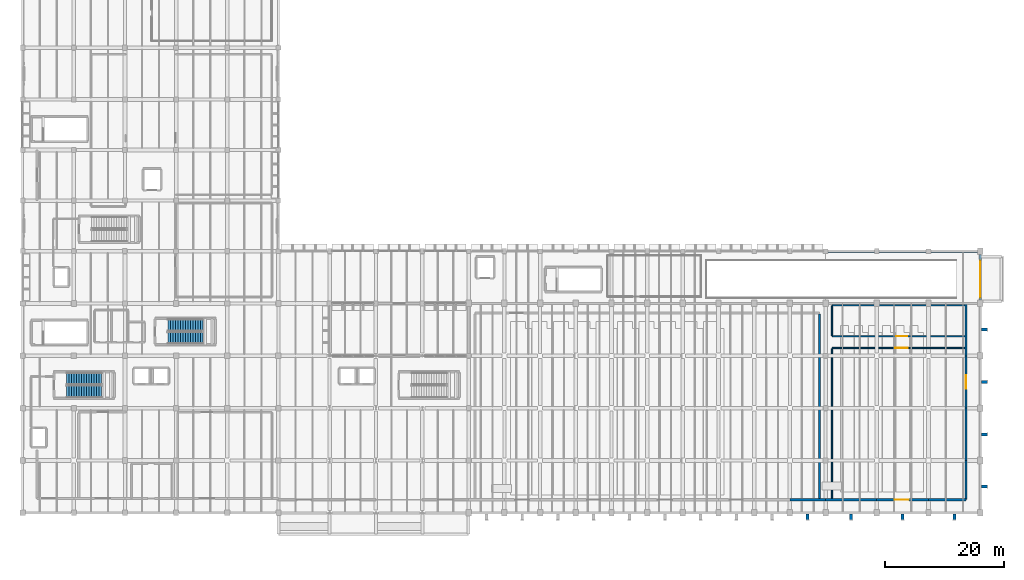
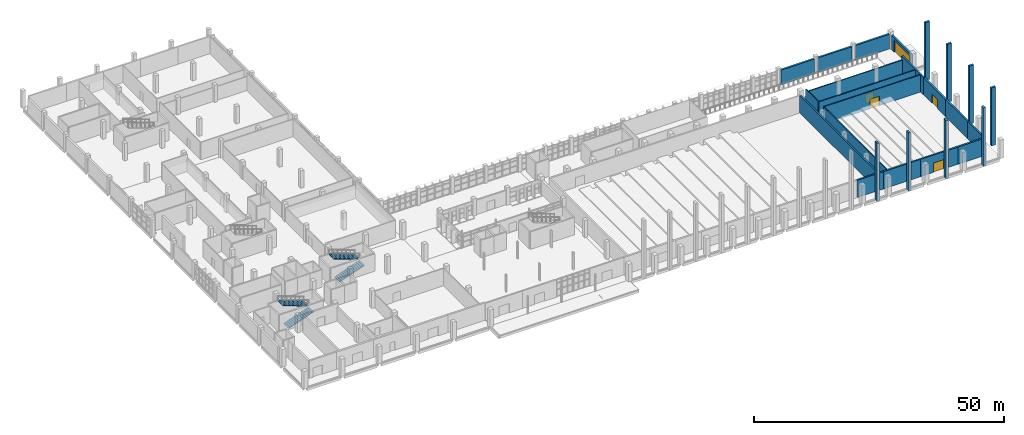
# One storey, part 62 of 76: 26 walls, 5 doors, 4 stair flights, 5 openings, 2 elements without a shape of their own.
"""IFC4 building model written with IfcOpenShell, lengths in metres."""

from ifc_helpers import new_model, si_unit, direction, frame, frame_2d, origin, place, context, subcontext, project, spatial, polyline, rectangle, outline, extrude, material, layer, layer_set, type_object, element, fill, aggregate, save


model = new_model("IFC4")

# Units and contexts
model_context = context("Model", 3, precision=1e-05, world=origin(), true_north=direction((0.0, 1.0)))
body_context = subcontext(model_context, "Body", "Model", "MODEL_VIEW")
ifc_project = project(units=[si_unit("LENGTHUNIT", "METRE"), si_unit("AREAUNIT", "SQUARE_METRE"), si_unit("VOLUMEUNIT", "CUBIC_METRE"), si_unit("PLANEANGLEUNIT", "RADIAN"), si_unit("MASSUNIT", "GRAM", prefix="KILO")], contexts=[model_context])

# Site, building, storey
site_placement = place(None, origin())
site = spatial("IfcSite", under=ifc_project, at=site_placement, CompositionType="ELEMENT")
building_placement = place(site_placement, origin())
building = spatial("IfcBuilding", under=site, at=building_placement, Name="Varnakota Cinema and Media Centre", CompositionType="ELEMENT")
storey_placement = place(building_placement, origin())
storey = spatial("IfcBuildingStorey", under=building, at=storey_placement, Name="L00", CompositionType="ELEMENT", Elevation=0.0)

# Wall
ifc_material_1 = material(Name="Autoclaved aerated concrete blockwork", Category="masonry")
ifc_layer_1 = layer(ifc_material_1, 0.2099609375)
ifc_layer_set_1 = layer_set([ifc_layer_1], Name="Autoclaved aerated concrete blockwork")
wall_type_1 = type_object("IfcWallType", Name="W-ACOUST-210", PredefinedType="PARTITIONING", material=ifc_layer_set_1)
wall_1_placement = place(storey_placement, frame((136.094970703125, 2.25, 0.0), z_axis=(0.0, 0.0, 1.0), x_axis=(0.0, 1.0, 0.0)))
element("IfcWall", 1, at=wall_1_placement, inside=storey, type_object=wall_type_1, Name="L00 RWALL-RM-L00-BCAST1 W wall", PredefinedType="PARTITIONING", context=body_context, shape_type="SweptSolid", body=[
    extrude(rectangle(XDim=25.35009765625, YDim=0.2099609375, at=frame_2d((12.675048828125, 0.0))), origin(), (0.0, 0.0, 1.0), 4.22998046875),
])

# Wall, opening, door
wall_2_placement = place(storey_placement, frame((136.094970703125, 27.705078125, 0.0), z_axis=(0.0, 0.0, 1.0), x_axis=(1.0, 0.0, 0.0)))
wall_2 = element("IfcWall", 2, at=wall_2_placement, inside=storey, type_object=wall_type_1, Name="L00 RWALL-RM-L00-BCAST1 N wall", PredefinedType="PARTITIONING", context=body_context, shape_type="SweptSolid", body=[
    extrude(rectangle(XDim=22.360107421875, YDim=0.2099609375, at=frame_2d((11.18017578125, 0.0))), origin(), (0.0, 0.0, 1.0), 4.22998046875),
])
opening_1_placement = place(wall_2_placement, frame((10.655029296875, 0.0, 0.0)))
opening_1 = element("IfcOpeningElement", 3, at=opening_1_placement, cuts=wall_2, Name="Opening D-051", PredefinedType="OPENING", context=body_context, shape_type="SweptSolid", body=[
    extrude(rectangle(XDim=2.10009765625, YDim=2.300048828125, at=frame_2d((1.050048828125, 1.14990234375))), frame((0.0, 0.10498046875, 0.0), z_axis=(0.0, -1.0, 0.0), x_axis=(1.0, 0.0, 0.0)), (0.0, 0.0, 1.0), 0.2099609375),
])
ifc_material_2 = material(Name="Thermally broken anodised aluminium AW-6063", Category="aluminium")
door_type_1 = type_object("IfcDoorType", Name="DR-AUD-2100x2300", OperationType="DOUBLE_DOOR_SINGLE_SWING", PredefinedType="DOOR", material=ifc_material_2)
door_1_placement = place(opening_1_placement, origin())
door_1 = element("IfcDoor", 4, at=door_1_placement, inside=storey, type_object=door_type_1, Name="L00 door D-051", OperationType="DOUBLE_DOOR_SINGLE_SWING", OverallHeight=2.300048828125, OverallWidth=2.10009765625, PredefinedType="DOOR", context=body_context, shape_type="SweptSolid", body=[
    extrude(rectangle(XDim=2.10009765625, YDim=2.300048828125, at=frame_2d((1.050048828125, 1.14990234375))), frame((0.0, 0.02490234375, 0.0), z_axis=(0.0, -1.0, 0.0), x_axis=(1.0, 0.0, 0.0)), (0.0, 0.0, 1.0), 0.050048828125),
])
fill(opening_1, door_1)

ifc_material_3 = material(Name="Autoclaved aerated concrete blockwork", Category="masonry")
ifc_layer_2 = layer(ifc_material_3, 0.22998046875)
ifc_layer_set_2 = layer_set([ifc_layer_2], Name="Autoclaved aerated concrete blockwork")
wall_type_2 = type_object("IfcWallType", Name="W-BOX-230", PredefinedType="PARTITIONING", material=ifc_layer_set_2)
wall_3_placement = place(storey_placement, frame((158.465087890625, 29.68505859375, 0.0), z_axis=(0.0, 0.0, 1.0), x_axis=(-1.0, 0.0, 0.0)))
wall_3 = element("IfcWall", 5, at=wall_3_placement, inside=storey, type_object=wall_type_2, Name="L00 RWALL-RM-L00-DOCK S wall", PredefinedType="PARTITIONING", context=body_context, shape_type="SweptSolid", body=[
    extrude(rectangle(XDim=22.380126953125, YDim=0.22998046875, at=frame_2d((11.18994140625, 0.0))), origin(), (0.0, 0.0, 1.0), 4.22998046875),
])
opening_2_placement = place(wall_3_placement, frame((9.764892578125, 0.0, 0.0)))
opening_2 = element("IfcOpeningElement", 6, at=opening_2_placement, cuts=wall_3, Name="Opening D-052", PredefinedType="OPENING", context=body_context, shape_type="SweptSolid", body=[
    extrude(rectangle(XDim=1.800048828125, YDim=2.25, at=frame_2d((0.89990234375, 1.125))), frame((0.0, 0.114990234375, 0.0), z_axis=(0.0, -1.0, 0.0), x_axis=(1.0, 0.0, 0.0)), (0.0, 0.0, 1.0), 0.22998046875),
])
ifc_material_4 = material(Name="Thermally broken anodised aluminium AW-6063", Category="aluminium")
door_type_2 = type_object("IfcDoorType", Name="DR-AUD-1800x2250", OperationType="DOUBLE_DOOR_SINGLE_SWING", PredefinedType="DOOR", material=ifc_material_4)
door_2_placement = place(opening_2_placement, origin())
door_2 = element("IfcDoor", 7, at=door_2_placement, inside=storey, type_object=door_type_2, Name="L00 door D-052", OperationType="DOUBLE_DOOR_SINGLE_SWING", OverallHeight=2.25, OverallWidth=1.800048828125, PredefinedType="DOOR", context=body_context, shape_type="SweptSolid", body=[
    extrude(rectangle(XDim=1.800048828125, YDim=2.25, at=frame_2d((0.89990234375, 1.125))), frame((0.0, 0.02490234375, 0.0), z_axis=(0.0, -1.0, 0.0), x_axis=(1.0, 0.0, 0.0)), (0.0, 0.0, 1.0), 0.050048828125),
])
fill(opening_2, door_2)

# Walls
wall_4_placement = place(storey_placement, frame((136.0849609375, 29.800048828125, 0.0), z_axis=(0.0, 0.0, 1.0), x_axis=(0.0, 1.0, 0.0)))
element("IfcWall", 8, at=wall_4_placement, inside=storey, type_object=wall_type_2, Name="L00 RWALL-RM-L00-DOCK W wall", PredefinedType="PARTITIONING", context=body_context, shape_type="SweptSolid", body=[
    extrude(rectangle(XDim=5.0, YDim=0.22998046875, at=frame_2d((2.5, 0.0))), origin(), (0.0, 0.0, 1.0), 4.22998046875),
])
wall_5_placement = place(storey_placement, frame((136.0849609375, 34.9150390625, 0.0), z_axis=(0.0, 0.0, 1.0), x_axis=(1.0, 0.0, 0.0)))
element("IfcWall", 9, at=wall_5_placement, inside=storey, type_object=wall_type_2, Name="L00 RWALL-RM-L00-DOCK N wall", PredefinedType="PARTITIONING", context=body_context, shape_type="SweptSolid", body=[
    extrude(rectangle(XDim=22.380126953125, YDim=0.22998046875, at=frame_2d((11.18994140625, 0.0))), origin(), (0.0, 0.0, 1.0), 3.47998046875),
])
ifc_material_5 = material(Name="Deccan grey granite ashlar", Category="masonry")
ifc_layer_3 = layer(ifc_material_5, 0.5)
ifc_layer_set_3 = layer_set([ifc_layer_3], Name="Deccan grey granite ashlar")
wall_type_3 = type_object("IfcWallType", Name="W-BUTTRESS-500", PredefinedType="SOLIDWALL", material=ifc_layer_set_3)
for number, where, z_axis, x_axis, name in (
    (10, (132.0, -0.22998046875, 0.0), (0.0, 0.0, 1.0), (0.0, -1.0, 0.0), "Hall south monumental Brutalist buttress fin 10"),
    (11, (139.300048828125, -0.22998046875, 0.0), (0.0, 0.0, 1.0), (0.0, -1.0, 0.0), "Hall south monumental Brutalist buttress fin 11"),
    (12, (147.949951171875, -0.22998046875, 0.0), (0.0, 0.0, 1.0), (0.0, -1.0, 0.0), "Hall south monumental Brutalist buttress fin 12"),
    (13, (156.64990234375, -0.22998046875, 0.0), (0.0, 0.0, 1.0), (0.0, -1.0, 0.0), "Hall south monumental Brutalist buttress fin 13"),
    (14, (161.22998046875, 4.39990234375, 0.0), (0.0, 0.0, 1.0), (1.0, 0.0, 0.0), "Hall east monumental Brutalist buttress fin 1"),
    (15, (161.22998046875, 13.199951171875, 0.0), (0.0, 0.0, 1.0), (1.0, 0.0, 0.0), "Hall east monumental Brutalist buttress fin 2"),
    (16, (161.22998046875, 22.0, 0.0), (0.0, 0.0, 1.0), (1.0, 0.0, 0.0), "Hall east monumental Brutalist buttress fin 3"),
    (17, (161.22998046875, 30.800048828125, 0.0), (0.0, 0.0, 1.0), (1.0, 0.0, 0.0), "Hall east monumental Brutalist buttress fin 4"),
):
    element("IfcWall", number, at=place(storey_placement, frame(where, z_axis=z_axis, x_axis=x_axis)), inside=storey, type_object=wall_type_3, Name=name, PredefinedType="SOLIDWALL", context=body_context, shape_type="SweptSolid", body=[
        extrude(rectangle(XDim=0.969970703125, YDim=0.5, at=frame_2d((0.48486328125, 0.0))), origin(), (0.0, 0.0, 1.0), 14.199951171875),
    ])
ifc_material_6 = material(Name="Deccan grey granite ashlar", Category="masonry")
ifc_layer_4 = layer(ifc_material_6, 0.3798828125)
ifc_layer_set_4 = layer_set([ifc_layer_4], Name="Deccan grey granite ashlar")
wall_type_4 = type_object("IfcWallType", Name="W-EXT-GRAN-380", PredefinedType="SOLIDWALL", material=ifc_layer_set_4)
wall_6_placement = place(storey_placement, frame((135.0, 2.199951171875, 0.0), z_axis=(0.0, 0.0, 1.0), x_axis=(-1.0, 0.0, 0.0)))
element("IfcWall", 18, at=wall_6_placement, inside=storey, type_object=wall_type_4, Name="L00 exterior wall V1-S-1", PredefinedType="SOLIDWALL", context=body_context, shape_type="SweptSolid", body=[
    extrude(rectangle(XDim=6.0, YDim=0.3798828125, at=frame_2d((3.0, 0.0))), origin(), (0.0, 0.0, 1.0), 4.235107421875),
])
wall_7_placement = place(storey_placement, frame((158.60009765625, 2.199951171875, 0.0), z_axis=(0.0, 0.0, 1.0), x_axis=(-1.0, 0.0, 0.0)))
element("IfcWall", 19, at=wall_7_placement, inside=storey, type_object=wall_type_4, Name="L00 exterior wall V2-S-1", PredefinedType="SOLIDWALL", context=body_context, shape_type="SweptSolid", body=[
    extrude(rectangle(XDim=6.300048828125, YDim=0.3798828125, at=frame_2d((3.14990234375, 0.0))), origin(), (0.0, 0.0, 1.0), 4.235107421875),
])

# Wall, opening, door
wall_8_placement = place(storey_placement, frame((152.300048828125, 2.199951171875, 0.0), z_axis=(0.0, 0.0, 1.0), x_axis=(-1.0, 0.0, 0.0)))
wall_8 = element("IfcWall", 20, at=wall_8_placement, inside=storey, type_object=wall_type_4, Name="L00 exterior wall V2-S-2", PredefinedType="SOLIDWALL", context=body_context, shape_type="SweptSolid", body=[
    extrude(rectangle(XDim=8.699951171875, YDim=0.3798828125, at=frame_2d((4.35009765625, 0.0))), origin(), (0.0, 0.0, 1.0), 4.235107421875),
])
opening_3_placement = place(wall_8_placement, frame((3.300048828125, 0.0, 0.0)))
opening_3 = element("IfcOpeningElement", 21, at=opening_3_placement, cuts=wall_8, Name="Opening ED-15", PredefinedType="OPENING", context=body_context, shape_type="SweptSolid", body=[
    extrude(rectangle(XDim=2.39990234375, YDim=2.300048828125, at=frame_2d((1.199951171875, 1.14990234375))), frame((0.0, 0.18994140625, 0.0), z_axis=(0.0, -1.0, 0.0), x_axis=(1.0, 0.0, 0.0)), (0.0, 0.0, 1.0), 0.3798828125),
])
ifc_material_7 = material(Name="Anodised golden-bronze aluminium AW-6063", Category="aluminium")
door_type_3 = type_object("IfcDoorType", Name="DR-EXIT-2400x2300", OperationType="DOUBLE_DOOR_SINGLE_SWING", PredefinedType="DOOR", material=ifc_material_7)
door_3_placement = place(opening_3_placement, origin())
door_3 = element("IfcDoor", 22, at=door_3_placement, inside=storey, type_object=door_type_3, Name="L00 door ED-15", OperationType="DOUBLE_DOOR_SINGLE_SWING", OverallHeight=2.300048828125, OverallWidth=2.39990234375, PredefinedType="DOOR", context=body_context, shape_type="SweptSolid", body=[
    extrude(rectangle(XDim=2.39990234375, YDim=2.300048828125, at=frame_2d((1.199951171875, 1.14990234375))), frame((0.0, 0.02490234375, 0.0), z_axis=(0.0, -1.0, 0.0), x_axis=(1.0, 0.0, 0.0)), (0.0, 0.0, 1.0), 0.050048828125),
])
fill(opening_3, door_3)

# Walls
wall_9_placement = place(storey_placement, frame((143.60009765625, 2.199951171875, 0.0), z_axis=(0.0, 0.0, 1.0), x_axis=(-1.0, 0.0, 0.0)))
element("IfcWall", 23, at=wall_9_placement, inside=storey, type_object=wall_type_4, Name="L00 exterior wall V2-S-3", PredefinedType="SOLIDWALL", context=body_context, shape_type="SweptSolid", body=[
    extrude(rectangle(XDim=8.60009765625, YDim=0.3798828125, at=frame_2d((4.300048828125, 0.0))), origin(), (0.0, 0.0, 1.0), 4.235107421875),
])
wall_10_placement = place(storey_placement, frame((158.60009765625, 2.199951171875, 0.0), z_axis=(0.0, 0.0, 1.0), x_axis=(0.0, 1.0, 0.0)))
element("IfcWall", 24, at=wall_10_placement, inside=storey, type_object=wall_type_4, Name="L00 exterior wall V2-E-COL-1", PredefinedType="SOLIDWALL", context=body_context, shape_type="SweptSolid", body=[
    extrude(rectangle(XDim=6.60009765625, YDim=0.3798828125, at=frame_2d((3.300048828125, 0.0))), origin(), (0.0, 0.0, 1.0), 4.235107421875),
])
wall_11_placement = place(storey_placement, frame((158.60009765625, 8.800048828125, 0.0), z_axis=(0.0, 0.0, 1.0), x_axis=(0.0, 1.0, 0.0)))
element("IfcWall", 25, at=wall_11_placement, inside=storey, type_object=wall_type_4, Name="L00 exterior wall V2-E-COL-2", PredefinedType="SOLIDWALL", context=body_context, shape_type="SweptSolid", body=[
    extrude(rectangle(XDim=8.800048828125, YDim=0.3798828125, at=frame_2d((4.39990234375, 0.0))), origin(), (0.0, 0.0, 1.0), 4.235107421875),
])

# Wall, opening, door
wall_12_placement = place(storey_placement, frame((158.60009765625, 17.60009765625, 0.0), z_axis=(0.0, 0.0, 1.0), x_axis=(0.0, 1.0, 0.0)))
wall_12 = element("IfcWall", 26, at=wall_12_placement, inside=storey, type_object=wall_type_4, Name="L00 exterior wall V2-E-COL-3", PredefinedType="SOLIDWALL", context=body_context, shape_type="SweptSolid", body=[
    extrude(rectangle(XDim=8.7998046875, YDim=0.3798828125, at=frame_2d((4.39990234375, 0.0))), origin(), (0.0, 0.0, 1.0), 4.235107421875),
])
opening_4_placement = place(wall_12_placement, frame((3.300048828125, 0.0, 0.0)))
opening_4 = element("IfcOpeningElement", 27, at=opening_4_placement, cuts=wall_12, Name="Opening ED-07", PredefinedType="OPENING", context=body_context, shape_type="SweptSolid", body=[
    extrude(rectangle(XDim=2.199951171875, YDim=2.25, at=frame_2d((1.10009765625, 1.125))), frame((0.0, 0.18994140625, 0.0), z_axis=(0.0, -1.0, 0.0), x_axis=(1.0, 0.0, 0.0)), (0.0, 0.0, 1.0), 0.3798828125),
])
ifc_material_8 = material(Name="Anodised golden-bronze aluminium AW-6063", Category="aluminium")
door_type_4 = type_object("IfcDoorType", Name="DR-EXIT-2200x2250", OperationType="DOUBLE_DOOR_SINGLE_SWING", PredefinedType="DOOR", material=ifc_material_8)
door_4_placement = place(opening_4_placement, origin())
door_4 = element("IfcDoor", 28, at=door_4_placement, inside=storey, type_object=door_type_4, Name="L00 door ED-07", OperationType="DOUBLE_DOOR_SINGLE_SWING", OverallHeight=2.25, OverallWidth=2.199951171875, PredefinedType="DOOR", context=body_context, shape_type="SweptSolid", body=[
    extrude(rectangle(XDim=2.199951171875, YDim=2.25, at=frame_2d((1.10009765625, 1.125))), frame((0.0, 0.02490234375, 0.0), z_axis=(0.0, -1.0, 0.0), x_axis=(1.0, 0.0, 0.0)), (0.0, 0.0, 1.0), 0.050048828125),
])
fill(opening_4, door_4)

# Wall
wall_13_placement = place(storey_placement, frame((158.60009765625, 26.39990234375, 0.0), z_axis=(0.0, 0.0, 1.0), x_axis=(0.0, 1.0, 0.0)))
element("IfcWall", 29, at=wall_13_placement, inside=storey, type_object=wall_type_4, Name="L00 exterior wall V2-E-COL-4", PredefinedType="SOLIDWALL", context=body_context, shape_type="SweptSolid", body=[
    extrude(rectangle(XDim=8.800048828125, YDim=0.3798828125, at=frame_2d((4.39990234375, 0.0))), origin(), (0.0, 0.0, 1.0), 4.235107421875),
])

# Wall, opening, door
ifc_material_9 = material(Name="Deccan grey granite ashlar", Category="masonry")
ifc_layer_5 = layer(ifc_material_9, 0.43994140625)
ifc_layer_set_5 = layer_set([ifc_layer_5], Name="Deccan grey granite ashlar")
wall_type_5 = type_object("IfcWallType", Name="W-EXT-HALL-440", PredefinedType="SOLIDWALL", material=ifc_layer_set_5)
wall_14_placement = place(storey_placement, frame((161.0, 35.75, 0.0), z_axis=(0.0, 0.0, 1.0), x_axis=(0.0, 1.0, 0.0)))
wall_14 = element("IfcWall", 30, at=wall_14_placement, inside=storey, type_object=wall_type_5, Name="L00 exterior wall V2-E-RAMP-1", PredefinedType="SOLIDWALL", context=body_context, shape_type="SweptSolid", body=[
    extrude(rectangle(XDim=7.699951171875, YDim=0.43994140625, at=frame_2d((3.85009765625, 0.0))), origin(), (0.0, 0.0, 1.0), 3.485107421875),
])
opening_5_placement = place(wall_14_placement, frame((0.449951171875, 0.0, 0.0)))
opening_5 = element("IfcOpeningElement", 31, at=opening_5_placement, cuts=wall_14, Name="Opening G-B1", PredefinedType="OPENING", context=body_context, shape_type="SweptSolid", body=[
    extrude(rectangle(XDim=6.199951171875, YDim=2.85009765625, at=frame_2d((3.10009765625, 1.425048828125))), frame((0.0, 0.219970703125, 0.0), z_axis=(0.0, -1.0, 0.0), x_axis=(1.0, 0.0, 0.0)), (0.0, 0.0, 1.0), 0.43994140625),
])
ifc_material_10 = material(Name="Anodised golden-bronze aluminium AW-6063", Category="aluminium")
door_type_5 = type_object("IfcDoorType", Name="DR-GATE-6200x2850", OperationType="ROLLINGUP", PredefinedType="GATE", material=ifc_material_10)
door_5_placement = place(opening_5_placement, origin())
door_5 = element("IfcDoor", 32, at=door_5_placement, inside=storey, type_object=door_type_5, Name="L00 door G-B1", OperationType="ROLLINGUP", OverallHeight=2.85009765625, OverallWidth=6.199951171875, PredefinedType="GATE", context=body_context, shape_type="SweptSolid", body=[
    extrude(rectangle(XDim=6.199951171875, YDim=2.85009765625, at=frame_2d((3.10009765625, 1.425048828125))), frame((0.0, 0.02490234375, 0.0), z_axis=(0.0, -1.0, 0.0), x_axis=(1.0, 0.0, 0.0)), (0.0, 0.0, 1.0), 0.050048828125),
])
fill(opening_5, door_5)

# Walls
wall_15_placement = place(storey_placement, frame((135.39990234375, 44.0, 0.0), z_axis=(0.0, 0.0, 1.0), x_axis=(1.0, 0.0, 0.0)))
element("IfcWall", 33, at=wall_15_placement, inside=storey, type_object=wall_type_5, Name="L00 exterior wall V2-N-1", PredefinedType="SOLIDWALL", context=body_context, shape_type="SweptSolid", body=[
    extrude(rectangle(XDim=7.8251953125, YDim=0.43994140625, at=frame_2d((3.91259765625, 0.0))), origin(), (0.0, 0.0, 1.0), 3.5849609375),
])
wall_16_placement = place(storey_placement, frame((143.97509765625, 44.0, 0.0), z_axis=(0.0, 0.0, 1.0), x_axis=(1.0, 0.0, 0.0)))
element("IfcWall", 34, at=wall_16_placement, inside=storey, type_object=wall_type_5, Name="L00 exterior wall V2-N-2", PredefinedType="SOLIDWALL", context=body_context, shape_type="SweptSolid", body=[
    extrude(rectangle(XDim=7.9248046875, YDim=0.43994140625, at=frame_2d((3.96240234375, 0.0))), origin(), (0.0, 0.0, 1.0), 3.5849609375),
])
wall_17_placement = place(storey_placement, frame((152.699951171875, 44.0, 0.0), z_axis=(0.0, 0.0, 1.0), x_axis=(1.0, 0.0, 0.0)))
element("IfcWall", 35, at=wall_17_placement, inside=storey, type_object=wall_type_5, Name="L00 exterior wall V2-N-3", PredefinedType="SOLIDWALL", context=body_context, shape_type="SweptSolid", body=[
    extrude(rectangle(XDim=7.85009765625, YDim=0.43994140625, at=frame_2d((3.925048828125, 0.0))), origin(), (0.0, 0.0, 1.0), 3.5849609375),
])
ifc_material_11 = material(Name="Concrete M40", Category="concrete")
ifc_layer_6 = layer(ifc_material_11, 0.35009765625)
ifc_layer_set_6 = layer_set([ifc_layer_6], Name="Concrete M40")
wall_type_6 = type_object("IfcWallType", Name="W-SEP-350", PredefinedType="SOLIDWALL", material=ifc_layer_set_6)
wall_18_placement = place(storey_placement, frame((133.97509765625, 33.39990234375, 0.0), z_axis=(0.0, 0.0, 1.0), x_axis=(0.0, -1.0, 0.0)))
element("IfcWall", 36, at=wall_18_placement, inside=storey, type_object=wall_type_6, Name="L00 RWALL-RM-L00-CINE1 E wall", PredefinedType="SOLIDWALL", context=body_context, shape_type="SweptSolid", body=[
    extrude(rectangle(XDim=31.14990234375, YDim=0.35009765625, at=frame_2d((15.574951171875, 0.0))), origin(), (0.0, 0.0, 1.0), 4.22998046875),
])

# Stair, stair flights
ifc_material_12 = material(Name="Concrete M35", Category="concrete")
stair_type_1 = type_object("IfcStairType", Name="STR-CORE-ST-01-2000", PredefinedType="HALF_TURN_STAIR", material=ifc_material_12)
stair_1_placement = place(storey_placement, origin())
stair_1 = element("IfcStair", 37, at=stair_1_placement, inside=storey, type_object=stair_type_1, Name="L00 West Firefighting Stair 1", PredefinedType="HALF_TURN_STAIR")
ifc_material_13 = material(Name="Concrete M35", Category="concrete")
stair_flight_type_1 = type_object("IfcStairFlightType", Name="STF-CORE-ST-01-2000", PredefinedType="STRAIGHT", material=ifc_material_13)
stair_flight_1_placement = place(storey_placement, frame((7.39990234375, 20.39990234375, 0.0), z_axis=(0.0, 0.0, 1.0), x_axis=(1.0, 0.0, 0.0)))
stair_flight_1 = element("IfcStairFlight", 38, at=stair_flight_1_placement, type_object=stair_flight_type_1, Name="ST-01 flight 1", NumberOfRisers=15, NumberOfTreads=14, PredefinedType="STRAIGHT", RiserHeight=0.15, TreadLength=0.42, context=body_context, shape_type="SweptSolid", body=[
    extrude(outline(polyline([(0.0, 0.0), (0.0, 0.14990234375), (0.419921875, 0.14990234375), (0.419921875, 0.300048828125), (0.840087890625, 0.300048828125), (0.840087890625, 0.449951171875), (1.260009765625, 0.449951171875), (1.260009765625, 0.60009765625), (1.679931640625, 0.60009765625), (1.679931640625, 0.75), (2.10009765625, 0.75), (2.10009765625, 0.89990234375), (2.52001953125, 0.89990234375), (2.52001953125, 1.050048828125), (2.93994140625, 1.050048828125), (2.93994140625, 1.199951171875), (3.360107421875, 1.199951171875), (3.360107421875, 1.35009765625), (3.780029296875, 1.35009765625), (3.780029296875, 1.5), (4.199951171875, 1.5), (4.199951171875, 1.64990234375), (4.6201171875, 1.64990234375), (4.6201171875, 1.800048828125), (5.0400390625, 1.800048828125), (5.0400390625, 1.949951171875), (5.4599609375, 1.949951171875), (5.4599609375, 2.10009765625), (5.8798828125, 2.10009765625), (5.8798828125, 2.25), (5.8798828125, 1.94091796875), (0.44580078125, 0.0), (0.0, 0.0)])), frame((0.0, 1.0, 0.0), z_axis=(0.0, -1.0, 0.0), x_axis=(1.0, 0.0, 0.0)), (0.0, 0.0, 1.0), 2.0),
])
stair_flight_2_placement = place(storey_placement, frame((13.280029296875, 22.550048828125, 2.25), z_axis=(0.0, 0.0, 1.0), x_axis=(-1.0, 0.0, 0.0)))
stair_flight_2 = element("IfcStairFlight", 39, at=stair_flight_2_placement, type_object=stair_flight_type_1, Name="ST-01 flight 2", NumberOfRisers=15, NumberOfTreads=14, PredefinedType="STRAIGHT", RiserHeight=0.15, TreadLength=0.42, context=body_context, shape_type="SweptSolid", body=[
    extrude(outline(polyline([(0.0, 0.0), (0.0, 0.14990234375), (0.419921875, 0.14990234375), (0.419921875, 0.300048828125), (0.840087890625, 0.300048828125), (0.840087890625, 0.449951171875), (1.260009765625, 0.449951171875), (1.260009765625, 0.60009765625), (1.679931640625, 0.60009765625), (1.679931640625, 0.75), (2.10009765625, 0.75), (2.10009765625, 0.89990234375), (2.52001953125, 0.89990234375), (2.52001953125, 1.050048828125), (2.93994140625, 1.050048828125), (2.93994140625, 1.199951171875), (3.360107421875, 1.199951171875), (3.360107421875, 1.35009765625), (3.780029296875, 1.35009765625), (3.780029296875, 1.5), (4.199951171875, 1.5), (4.199951171875, 1.64990234375), (4.6201171875, 1.64990234375), (4.6201171875, 1.800048828125), (5.0400390625, 1.800048828125), (5.0400390625, 1.949951171875), (5.4599609375, 1.949951171875), (5.4599609375, 2.10009765625), (5.8798828125, 2.10009765625), (5.8798828125, 2.25), (5.8798828125, 1.94091796875), (0.44580078125, 0.0), (0.0, 0.0)])), frame((0.0, 1.0, 0.0), z_axis=(0.0, -1.0, 0.0), x_axis=(1.0, 0.0, 0.0)), (0.0, 0.0, 1.0), 2.0),
])
aggregate(stair_1, [stair_flight_1, stair_flight_2])

ifc_material_14 = material(Name="Concrete M35", Category="concrete")
stair_type_2 = type_object("IfcStairType", Name="STR-CORE-ST-02-2000", PredefinedType="HALF_TURN_STAIR", material=ifc_material_14)
stair_2_placement = place(storey_placement, origin())
stair_2 = element("IfcStair", 40, at=stair_2_placement, inside=storey, type_object=stair_type_2, Name="L00 Cinema North Escape Stair 2", PredefinedType="HALF_TURN_STAIR")
ifc_material_15 = material(Name="Concrete M35", Category="concrete")
stair_flight_type_2 = type_object("IfcStairFlightType", Name="STF-CORE-ST-02-2000", PredefinedType="STRAIGHT", material=ifc_material_15)
stair_flight_3_placement = place(storey_placement, frame((24.39990234375, 29.39990234375, 0.0), z_axis=(0.0, 0.0, 1.0), x_axis=(1.0, 0.0, 0.0)))
stair_flight_3 = element("IfcStairFlight", 41, at=stair_flight_3_placement, type_object=stair_flight_type_2, Name="ST-02 flight 1", NumberOfRisers=15, NumberOfTreads=14, PredefinedType="STRAIGHT", RiserHeight=0.15, TreadLength=0.42, context=body_context, shape_type="SweptSolid", body=[
    extrude(outline(polyline([(0.0, 0.0), (0.0, 0.14990234375), (0.419921875, 0.14990234375), (0.419921875, 0.300048828125), (0.840087890625, 0.300048828125), (0.840087890625, 0.449951171875), (1.260009765625, 0.449951171875), (1.260009765625, 0.60009765625), (1.679931640625, 0.60009765625), (1.679931640625, 0.75), (2.10009765625, 0.75), (2.10009765625, 0.89990234375), (2.52001953125, 0.89990234375), (2.52001953125, 1.050048828125), (2.93994140625, 1.050048828125), (2.93994140625, 1.199951171875), (3.360107421875, 1.199951171875), (3.360107421875, 1.35009765625), (3.780029296875, 1.35009765625), (3.780029296875, 1.5), (4.199951171875, 1.5), (4.199951171875, 1.64990234375), (4.6201171875, 1.64990234375), (4.6201171875, 1.800048828125), (5.0400390625, 1.800048828125), (5.0400390625, 1.949951171875), (5.4599609375, 1.949951171875), (5.4599609375, 2.10009765625), (5.8798828125, 2.10009765625), (5.8798828125, 2.25), (5.8798828125, 1.94091796875), (0.44580078125, 0.0), (0.0, 0.0)])), frame((0.0, 1.0, 0.0), z_axis=(0.0, -1.0, 0.0), x_axis=(1.0, 0.0, 0.0)), (0.0, 0.0, 1.0), 2.0),
])
stair_flight_4_placement = place(storey_placement, frame((30.280029296875, 31.550048828125, 2.25), z_axis=(0.0, 0.0, 1.0), x_axis=(-1.0, 0.0, 0.0)))
stair_flight_4 = element("IfcStairFlight", 42, at=stair_flight_4_placement, type_object=stair_flight_type_2, Name="ST-02 flight 2", NumberOfRisers=15, NumberOfTreads=14, PredefinedType="STRAIGHT", RiserHeight=0.15, TreadLength=0.42, context=body_context, shape_type="SweptSolid", body=[
    extrude(outline(polyline([(0.0, 0.0), (0.0, 0.14990234375), (0.419921875, 0.14990234375), (0.419921875, 0.300048828125), (0.840087890625, 0.300048828125), (0.840087890625, 0.449951171875), (1.260009765625, 0.449951171875), (1.260009765625, 0.60009765625), (1.679931640625, 0.60009765625), (1.679931640625, 0.75), (2.10009765625, 0.75), (2.10009765625, 0.89990234375), (2.52001953125, 0.89990234375), (2.52001953125, 1.050048828125), (2.93994140625, 1.050048828125), (2.93994140625, 1.199951171875), (3.360107421875, 1.199951171875), (3.360107421875, 1.35009765625), (3.780029296875, 1.35009765625), (3.780029296875, 1.5), (4.199951171875, 1.5), (4.199951171875, 1.64990234375), (4.6201171875, 1.64990234375), (4.6201171875, 1.800048828125), (5.0400390625, 1.800048828125), (5.0400390625, 1.949951171875), (5.4599609375, 1.949951171875), (5.4599609375, 2.10009765625), (5.8798828125, 2.10009765625), (5.8798828125, 2.25), (5.8798828125, 1.94091796875), (0.44580078125, 0.0), (0.0, 0.0)])), frame((0.0, 1.0, 0.0), z_axis=(0.0, -1.0, 0.0), x_axis=(1.0, 0.0, 0.0)), (0.0, 0.0, 1.0), 2.0),
])
aggregate(stair_2, [stair_flight_3, stair_flight_4])

save(model, "model.ifc")
